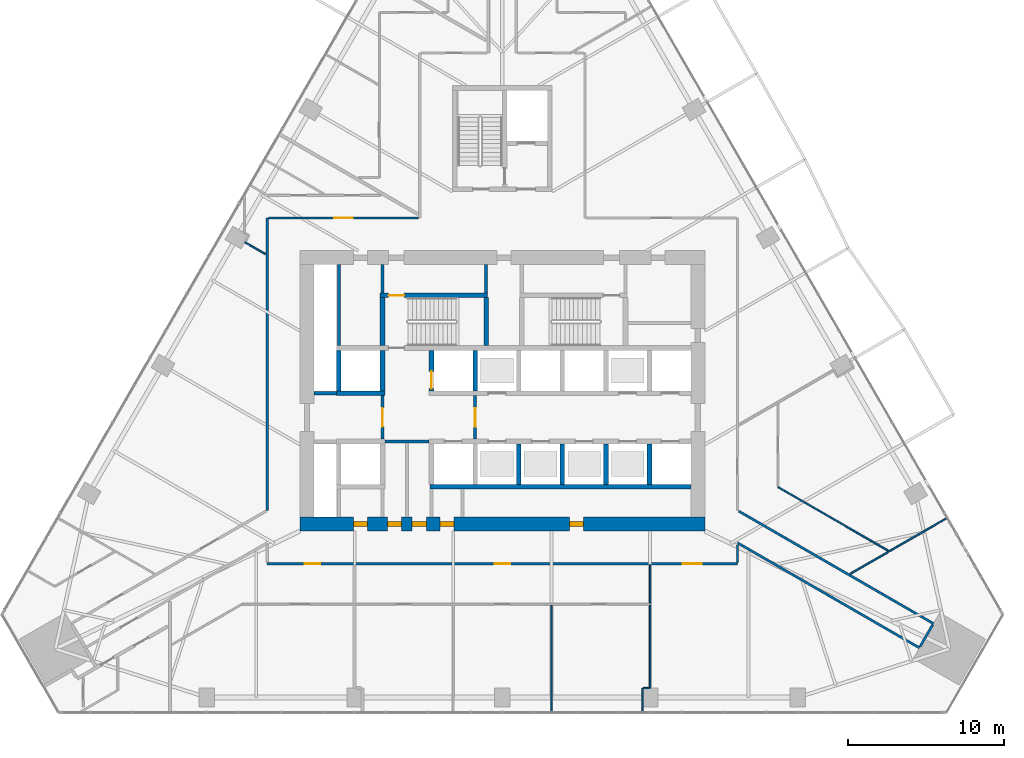
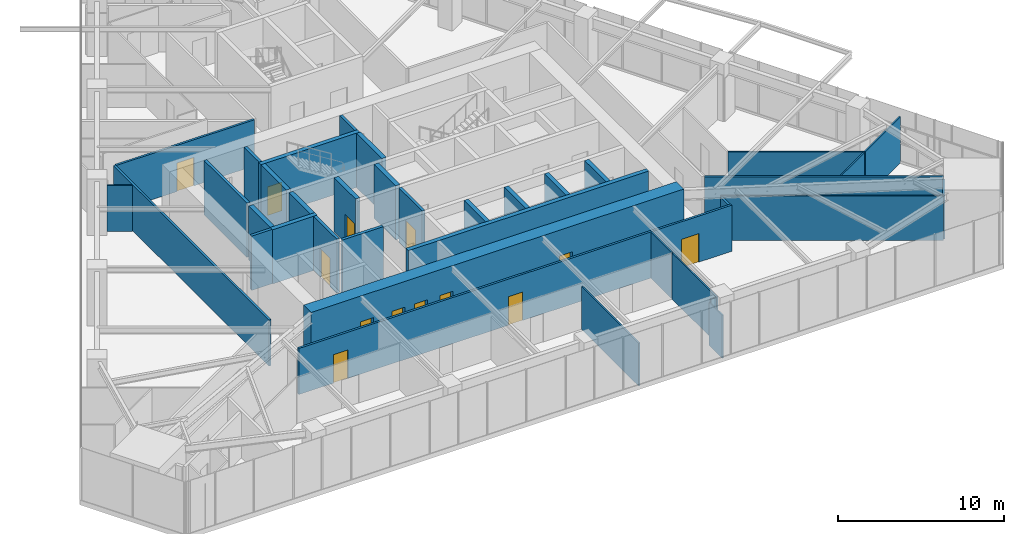
# One storey, part 21 of 26: 37 walls, 13 doors, 13 openings.
"""IFC4 building model written with IfcOpenShell, lengths in metres."""

from ifc_helpers import new_model, si_unit, direction, frame, frame_2d, origin, place, context, subcontext, project, spatial, rectangle, extrude, material, layer, layer_set, type_object, element, fill, save


model = new_model("IFC4")

# Units and contexts
model_context = context("Model", 3, precision=1e-05, world=origin(), true_north=direction((0.0, 1.0)))
body_context = subcontext(model_context, "Body", "Model", "MODEL_VIEW")
ifc_project = project(units=[si_unit("LENGTHUNIT", "METRE"), si_unit("AREAUNIT", "SQUARE_METRE"), si_unit("VOLUMEUNIT", "CUBIC_METRE"), si_unit("PLANEANGLEUNIT", "RADIAN"), si_unit("MASSUNIT", "GRAM", prefix="KILO")], contexts=[model_context])

# Site, building, storey
site_placement = place(None, origin())
site = spatial("IfcSite", under=ifc_project, at=site_placement, CompositionType="ELEMENT")
building_placement = place(site_placement, origin())
building = spatial("IfcBuilding", under=site, at=building_placement, Name="Firuza Gate Tower and Library", CompositionType="ELEMENT")
storey_placement = place(building_placement, frame((0.0, 0.0, 77.800048828125)))
storey = spatial("IfcBuildingStorey", under=building, at=storey_placement, Name="L17", CompositionType="ELEMENT", Elevation=77.800048828125)

# Walls
ifc_material_1 = material(Name="Plasterboard on steel studs", Category="steel")
ifc_layer_1 = layer(ifc_material_1, 0.199951171875)
ifc_layer_set_1 = layer_set([ifc_layer_1], Name="Core partition 200 EI 120")
wall_type_1 = type_object("IfcWallType", Name="Core partition 200 EI 120", PredefinedType="PARTITIONING", material=ifc_layer_set_1)
wall_1_placement = place(storey_placement, frame((67.449951171875, 71.75, 0.0), z_axis=(0.0, 0.0, 1.0), x_axis=(1.0, 0.0, 0.0)))
element("IfcWall", 1, at=wall_1_placement, inside=storey, type_object=wall_type_1, Name="Core partition L17 2", PredefinedType="PARTITIONING", context=body_context, shape_type="SweptSolid", body=[
    extrude(rectangle(XDim=2.85009765625, YDim=0.199951171875, at=frame_2d((1.425048828125, 0.0))), origin(), (0.0, 0.0, 1.0), 4.0),
])
wall_2_placement = place(storey_placement, frame((62.89990234375, 74.85009765625, 0.0), z_axis=(0.0, 0.0, 1.0), x_axis=(1.0, 0.0, 0.0)))
element("IfcWall", 2, at=wall_2_placement, inside=storey, type_object=wall_type_1, Name="Core partition L17 3", PredefinedType="PARTITIONING", context=body_context, shape_type="SweptSolid", body=[
    extrude(rectangle(XDim=1.4501953125, YDim=0.199951171875, at=frame_2d((0.72509765625, 0.0))), origin(), (0.0, 0.0, 1.0), 4.0),
])
wall_3_placement = place(storey_placement, frame((64.5, 77.89990234375, 0.0), z_axis=(0.0, 0.0, 1.0), x_axis=(0.0, 1.0, 0.0)))
element("IfcWall", 3, at=wall_3_placement, inside=storey, type_object=wall_type_1, Name="Core partition L17 6", PredefinedType="PARTITIONING", context=body_context, shape_type="SweptSolid", body=[
    extrude(rectangle(XDim=5.2001953125, YDim=0.199951171875, at=frame_2d((2.60009765625, 0.0))), origin(), (0.0, 0.0, 1.0), 4.0),
])

# Wall, opening, door
ifc_material_2 = material(Name="Plasterboard on steel studs", Category="steel")
ifc_layer_2 = layer(ifc_material_2, 0.199951171875)
ifc_layer_set_2 = layer_set([ifc_layer_2], Name="Core partition 200 EI 60")
wall_type_2 = type_object("IfcWallType", Name="Core partition 200 EI 60", PredefinedType="PARTITIONING", material=ifc_layer_set_2)
wall_4_placement = place(storey_placement, frame((67.300048828125, 71.89990234375, 0.0), z_axis=(0.0, 0.0, 1.0), x_axis=(0.0, 1.0, 0.0)))
wall_4 = element("IfcWall", 4, at=wall_4_placement, inside=storey, type_object=wall_type_2, Name="Core partition L17 8", PredefinedType="PARTITIONING", context=body_context, shape_type="SweptSolid", body=[
    extrude(rectangle(XDim=2.800048828125, YDim=0.199951171875, at=frame_2d((1.39990234375, 0.0))), origin(), (0.0, 0.0, 1.0), 4.0),
])
opening_1_placement = place(wall_4_placement, frame((0.800048828125, 0.0, 0.0)))
opening_1 = element("IfcOpeningElement", 5, at=opening_1_placement, cuts=wall_4, Name="Opening L17-K21", PredefinedType="OPENING", context=body_context, shape_type="SweptSolid", body=[
    extrude(rectangle(XDim=1.199951171875, YDim=2.10009765625, at=frame_2d((0.60009765625, 1.050048828125))), frame((0.0, 0.10986328125, 0.0), z_axis=(0.0, -1.0, 0.0), x_axis=(1.0, 0.0, 0.0)), (0.0, 0.0, 1.0), 0.219970703125),
])
ifc_material_3 = material(Name="Steel", Category="steel")
door_type_1 = type_object("IfcDoorType", Name="Fire door 1200x2100 FD90S", OperationType="NOTDEFINED", PredefinedType="DOOR", material=ifc_material_3)
door_1_placement = place(opening_1_placement, origin())
door_1 = element("IfcDoor", 6, at=door_1_placement, inside=storey, type_object=door_type_1, Name="Door L17-K21", OperationType="SINGLE_SWING_RIGHT", OverallHeight=2.10009765625, OverallWidth=1.199951171875, PredefinedType="DOOR", context=body_context, shape_type="SweptSolid", body=[
    extrude(rectangle(XDim=1.199951171875, YDim=2.10009765625, at=frame_2d((0.60009765625, 1.050048828125))), frame((0.0, 0.02490234375, 0.0), z_axis=(0.0, -1.0, 0.0), x_axis=(1.0, 0.0, 0.0)), (0.0, 0.0, 1.0), 0.050048828125),
])
fill(opening_1, door_1)

# Wall
wall_5_placement = place(storey_placement, frame((67.300048828125, 81.280029296875, 0.0), z_axis=(0.0, 0.0, 1.0), x_axis=(0.0, 1.0, 0.0)))
element("IfcWall", 7, at=wall_5_placement, inside=storey, type_object=wall_type_2, Name="Core partition L17 9", PredefinedType="PARTITIONING", context=body_context, shape_type="SweptSolid", body=[
    extrude(rectangle(XDim=1.820068359375, YDim=0.199951171875, at=frame_2d((0.91015625, 0.0))), origin(), (0.0, 0.0, 1.0), 4.0),
])

# Wall, opening, door
wall_6_placement = place(storey_placement, frame((73.25, 71.89990234375, 0.0), z_axis=(0.0, 0.0, 1.0), x_axis=(0.0, 1.0, 0.0)))
wall_6 = element("IfcWall", 8, at=wall_6_placement, inside=storey, type_object=wall_type_2, Name="Core partition L17 13", PredefinedType="PARTITIONING", context=body_context, shape_type="SweptSolid", body=[
    extrude(rectangle(XDim=2.800048828125, YDim=0.199951171875, at=frame_2d((1.39990234375, 0.0))), origin(), (0.0, 0.0, 1.0), 4.0),
])
opening_2_placement = place(wall_6_placement, frame((0.800048828125, 0.0, 0.0)))
opening_2 = element("IfcOpeningElement", 9, at=opening_2_placement, cuts=wall_6, Name="Opening L17-K20", PredefinedType="OPENING", context=body_context, shape_type="SweptSolid", body=[
    extrude(rectangle(XDim=1.199951171875, YDim=2.10009765625, at=frame_2d((0.60009765625, 1.050048828125))), frame((0.0, 0.10986328125, 0.0), z_axis=(0.0, -1.0, 0.0), x_axis=(1.0, 0.0, 0.0)), (0.0, 0.0, 1.0), 0.219970703125),
])
door_2_placement = place(opening_2_placement, origin())
door_2 = element("IfcDoor", 10, at=door_2_placement, inside=storey, type_object=door_type_1, Name="Door L17-K20", OperationType="SINGLE_SWING_LEFT", OverallHeight=2.10009765625, OverallWidth=1.199951171875, PredefinedType="DOOR", context=body_context, shape_type="SweptSolid", body=[
    extrude(rectangle(XDim=1.199951171875, YDim=2.10009765625, at=frame_2d((0.60009765625, 1.050048828125))), frame((0.0, 0.02490234375, 0.0), z_axis=(0.0, -1.0, 0.0), x_axis=(1.0, 0.0, 0.0)), (0.0, 0.0, 1.0), 0.050048828125),
])
fill(opening_2, door_2)

# Walls
wall_7_placement = place(storey_placement, frame((73.9599609375, 81.280029296875, 0.0), z_axis=(0.0, 0.0, 1.0), x_axis=(0.0, 1.0, 0.0)))
element("IfcWall", 11, at=wall_7_placement, inside=storey, type_object=wall_type_2, Name="Core partition L17 14", PredefinedType="PARTITIONING", context=body_context, shape_type="SweptSolid", body=[
    extrude(rectangle(XDim=1.820068359375, YDim=0.199951171875, at=frame_2d((0.91015625, 0.0))), origin(), (0.0, 0.0, 1.0), 4.0),
])
ifc_material_4 = material(Name="Concrete C80/95", Category="concrete")
ifc_layer_3 = layer(ifc_material_4, 0.300048828125)
ifc_layer_set_3 = layer_set([ifc_layer_3], Name="Core wall 300 C80/95")
wall_type_3 = type_object("IfcWallType", Name="Core wall 300 C80/95", PredefinedType="SHEAR", material=ifc_layer_set_3)
wall_8_placement = place(storey_placement, frame((70.35009765625, 68.85009765625, 0.0), z_axis=(0.0, 0.0, 1.0), x_axis=(1.0, 0.0, 0.0)))
element("IfcWall", 12, at=wall_8_placement, inside=storey, type_object=wall_type_3, Name="Core wall L17 6", PredefinedType="SHEAR", context=body_context, shape_type="SweptSolid", body=[
    extrude(rectangle(XDim=16.75, YDim=0.300048828125, at=frame_2d((8.375, 0.0))), origin(), (0.0, 0.0, 1.0), 4.0),
])
wall_9_placement = place(storey_placement, frame((64.35009765625, 74.85009765625, 0.0), z_axis=(0.0, 0.0, 1.0), x_axis=(1.0, 0.0, 0.0)))
element("IfcWall", 13, at=wall_9_placement, inside=storey, type_object=wall_type_3, Name="Core wall L17 9", PredefinedType="SHEAR", context=body_context, shape_type="SweptSolid", body=[
    extrude(rectangle(XDim=3.099853515625, YDim=0.300048828125, at=frame_2d((1.5498046875, 0.0))), origin(), (0.0, 0.0, 1.0), 4.0),
])
for number, where, z_axis, x_axis, name in (
    (14, (64.5, 75.0, 0.0), (0.0, 0.0, 1.0), (0.0, 1.0, 0.0), "Core wall L17 12"),
    (15, (67.300048828125, 75.0, 0.0), (0.0, 0.0, 1.0), (0.0, 1.0, 0.0), "Core wall L17 14"),
):
    element("IfcWall", number, at=place(storey_placement, frame(where, z_axis=z_axis, x_axis=x_axis)), inside=storey, type_object=wall_type_3, Name=name, PredefinedType="SHEAR", context=body_context, shape_type="SweptSolid", body=[
        extrude(rectangle(XDim=2.60009765625, YDim=0.300048828125, at=frame_2d((1.300048828125, 0.0))), origin(), (0.0, 0.0, 1.0), 4.0),
    ])

# Wall, opening, door
wall_10_placement = place(storey_placement, frame((70.449951171875, 75.0, 0.0), z_axis=(0.0, 0.0, 1.0), x_axis=(0.0, 1.0, 0.0)))
wall_10 = element("IfcWall", 16, at=wall_10_placement, inside=storey, type_object=wall_type_3, Name="Core wall L17 16", PredefinedType="SHEAR", context=body_context, shape_type="SweptSolid", body=[
    extrude(rectangle(XDim=2.60009765625, YDim=0.300048828125, at=frame_2d((1.300048828125, 0.0))), origin(), (0.0, 0.0, 1.0), 4.0),
])
opening_3_placement = place(wall_10_placement, frame((0.14990234375, 0.0, 0.0)))
opening_3 = element("IfcOpeningElement", 17, at=opening_3_placement, cuts=wall_10, Name="Opening LD-FF2-L17", PredefinedType="OPENING", context=body_context, shape_type="SweptSolid", body=[
    extrude(rectangle(XDim=1.10009765625, YDim=2.10009765625, at=frame_2d((0.550048828125, 1.050048828125))), frame((0.0, 0.16015625, 0.0), z_axis=(0.0, -1.0, 0.0), x_axis=(1.0, 0.0, 0.0)), (0.0, 0.0, 1.0), 0.320068359375),
])
ifc_material_5 = material(Name="Stainless steel", Category="steel")
door_type_2 = type_object("IfcDoorType", Name="Lift landing door 1100x2100", OperationType="DOUBLE_DOOR_SLIDING", PredefinedType="DOOR", material=ifc_material_5)
door_3_placement = place(opening_3_placement, origin())
door_3 = element("IfcDoor", 18, at=door_3_placement, inside=storey, type_object=door_type_2, Name="Landing door FF2 L17", OperationType="DOUBLE_DOOR_SLIDING", OverallHeight=2.10009765625, OverallWidth=1.10009765625, PredefinedType="DOOR", context=body_context, shape_type="SweptSolid", body=[
    extrude(rectangle(XDim=1.10009765625, YDim=2.10009765625, at=frame_2d((0.550048828125, 1.050048828125))), frame((0.0, 0.02490234375, 0.0), z_axis=(0.0, -1.0, 0.0), x_axis=(1.0, 0.0, 0.0)), (0.0, 0.0, 1.0), 0.050048828125),
])
fill(opening_3, door_3)

# Walls
for number, where, z_axis, x_axis, name in (
    (19, (73.25, 75.0, 0.0), (0.0, 0.0, 1.0), (0.0, 1.0, 0.0), "Core wall L17 18"),
    (20, (76.050048828125, 69.0, 0.0), (0.0, 0.0, 1.0), (0.0, 1.0, 0.0), "Core wall L17 19"),
    (21, (78.85009765625, 69.0, 0.0), (0.0, 0.0, 1.0), (0.0, 1.0, 0.0), "Core wall L17 21"),
    (22, (81.64990234375, 69.0, 0.0), (0.0, 0.0, 1.0), (0.0, 1.0, 0.0), "Core wall L17 23"),
    (23, (84.449951171875, 69.0, 0.0), (0.0, 0.0, 1.0), (0.0, 1.0, 0.0), "Core wall L17 25"),
):
    element("IfcWall", number, at=place(storey_placement, frame(where, z_axis=z_axis, x_axis=x_axis)), inside=storey, type_object=wall_type_3, Name=name, PredefinedType="SHEAR", context=body_context, shape_type="SweptSolid", body=[
        extrude(rectangle(XDim=2.60009765625, YDim=0.300048828125, at=frame_2d((1.300048828125, 0.0))), origin(), (0.0, 0.0, 1.0), 4.0),
    ])

# Wall, opening, door
wall_11_placement = place(storey_placement, frame((67.14990234375, 81.1298828125, 0.0), z_axis=(0.0, 0.0, 1.0), x_axis=(1.0, 0.0, 0.0)))
wall_11 = element("IfcWall", 24, at=wall_11_placement, inside=storey, type_object=wall_type_3, Name="Core wall L17 28", PredefinedType="SHEAR", context=body_context, shape_type="SweptSolid", body=[
    extrude(rectangle(XDim=6.91015625, YDim=0.300048828125, at=frame_2d((3.455078125, 0.0))), origin(), (0.0, 0.0, 1.0), 4.0),
])
opening_4_placement = place(wall_11_placement, frame((0.544921875, 0.0, 0.0)))
opening_4 = element("IfcOpeningElement", 25, at=opening_4_placement, cuts=wall_11, Name="Opening L17-K13", PredefinedType="OPENING", context=body_context, shape_type="SweptSolid", body=[
    extrude(rectangle(XDim=1.0, YDim=2.10009765625, at=frame_2d((0.5, 1.050048828125))), frame((0.0, 0.16015625, 0.0), z_axis=(0.0, -1.0, 0.0), x_axis=(1.0, 0.0, 0.0)), (0.0, 0.0, 1.0), 0.320068359375),
])
ifc_material_6 = material(Name="Steel", Category="steel")
door_type_3 = type_object("IfcDoorType", Name="Fire door 1000x2100 FD90", OperationType="NOTDEFINED", PredefinedType="DOOR", material=ifc_material_6)
door_4_placement = place(opening_4_placement, origin())
door_4 = element("IfcDoor", 26, at=door_4_placement, inside=storey, type_object=door_type_3, Name="Door L17-K13", OperationType="SINGLE_SWING_RIGHT", OverallHeight=2.10009765625, OverallWidth=1.0, PredefinedType="DOOR", context=body_context, shape_type="SweptSolid", body=[
    extrude(rectangle(XDim=1.0, YDim=2.10009765625, at=frame_2d((0.5, 1.050048828125))), frame((0.0, 0.02490234375, 0.0), z_axis=(0.0, -1.0, 0.0), x_axis=(1.0, 0.0, 0.0)), (0.0, 0.0, 1.0), 0.050048828125),
])
fill(opening_4, door_4)

# Walls
for number, where, z_axis, x_axis, name in (
    (27, (67.300048828125, 77.89990234375, 0.0), (0.0, 0.0, 1.0), (0.0, 1.0, 0.0), "Core wall L17 30"),
    (28, (73.9599609375, 77.89990234375, 0.0), (0.0, 0.0, 1.0), (0.0, 1.0, 0.0), "Core wall L17 31"),
):
    element("IfcWall", number, at=place(storey_placement, frame(where, z_axis=z_axis, x_axis=x_axis)), inside=storey, type_object=wall_type_3, Name=name, PredefinedType="SHEAR", context=body_context, shape_type="SweptSolid", body=[
        extrude(rectangle(XDim=3.080078125, YDim=0.300048828125, at=frame_2d((1.5400390625, 0.0))), origin(), (0.0, 0.0, 1.0), 4.0),
    ])

# Wall, openings, doors
ifc_material_7 = material(Name="Concrete C80/95", Category="concrete")
ifc_layer_4 = layer(ifc_material_7, 0.89990234375)
ifc_layer_set_4 = layer_set([ifc_layer_4], Name="Core wall 900 C80/95")
wall_type_4 = type_object("IfcWallType", Name="Core wall 900 C80/95", PredefinedType="SHEAR", material=ifc_layer_set_4)
wall_12_placement = place(storey_placement, frame((62.0, 66.449951171875, 0.0), z_axis=(0.0, 0.0, 1.0), x_axis=(1.0, 0.0, 0.0)))
wall_12 = element("IfcWall", 29, at=wall_12_placement, inside=storey, type_object=wall_type_4, Name="Core wall L17 1", PredefinedType="SHEAR", context=body_context, shape_type="SweptSolid", body=[
    extrude(rectangle(XDim=26.0, YDim=0.89990234375, at=frame_2d((13.0, 0.0))), origin(), (0.0, 0.0, 1.0), 4.0),
])
opening_5_placement = place(wall_12_placement, frame((3.449951171875, 0.0, 0.0)))
opening_5 = element("IfcOpeningElement", 30, at=opening_5_placement, cuts=wall_12, Name="Opening L17-K24", PredefinedType="OPENING", context=body_context, shape_type="SweptSolid", body=[
    extrude(rectangle(XDim=0.89990234375, YDim=2.10009765625, at=frame_2d((0.449951171875, 1.050048828125))), frame((0.0, 0.4599609375, 0.0), z_axis=(0.0, -1.0, 0.0), x_axis=(1.0, 0.0, 0.0)), (0.0, 0.0, 1.0), 0.919921875),
])
opening_6_placement = place(wall_12_placement, frame((5.637451171875, 0.0, 0.0)))
opening_6 = element("IfcOpeningElement", 31, at=opening_6_placement, cuts=wall_12, Name="Opening L17-K25", PredefinedType="OPENING", context=body_context, shape_type="SweptSolid", body=[
    extrude(rectangle(XDim=0.89990234375, YDim=2.10009765625, at=frame_2d((0.449951171875, 1.050048828125))), frame((0.0, 0.4599609375, 0.0), z_axis=(0.0, -1.0, 0.0), x_axis=(1.0, 0.0, 0.0)), (0.0, 0.0, 1.0), 0.919921875),
])
opening_7_placement = place(wall_12_placement, frame((7.21240234375, 0.0, 0.0)))
opening_7 = element("IfcOpeningElement", 32, at=opening_7_placement, cuts=wall_12, Name="Opening L17-K26", PredefinedType="OPENING", context=body_context, shape_type="SweptSolid", body=[
    extrude(rectangle(XDim=0.89990234375, YDim=2.10009765625, at=frame_2d((0.449951171875, 1.050048828125))), frame((0.0, 0.4599609375, 0.0), z_axis=(0.0, -1.0, 0.0), x_axis=(1.0, 0.0, 0.0)), (0.0, 0.0, 1.0), 0.919921875),
])
opening_8_placement = place(wall_12_placement, frame((8.9990234375, 0.0, 0.0)))
opening_8 = element("IfcOpeningElement", 33, at=opening_8_placement, cuts=wall_12, Name="Opening L17-K27", PredefinedType="OPENING", context=body_context, shape_type="SweptSolid", body=[
    extrude(rectangle(XDim=0.89990234375, YDim=2.10009765625, at=frame_2d((0.449951171875, 1.050048828125))), frame((0.0, 0.4599609375, 0.0), z_axis=(0.0, -1.0, 0.0), x_axis=(1.0, 0.0, 0.0)), (0.0, 0.0, 1.0), 0.919921875),
])
opening_9_placement = place(wall_12_placement, frame((17.323974609375, 0.0, 0.0)))
opening_9 = element("IfcOpeningElement", 34, at=opening_9_placement, cuts=wall_12, Name="Opening L17-K28", PredefinedType="OPENING", context=body_context, shape_type="SweptSolid", body=[
    extrude(rectangle(XDim=0.89990234375, YDim=2.10009765625, at=frame_2d((0.449951171875, 1.050048828125))), frame((0.0, 0.4599609375, 0.0), z_axis=(0.0, -1.0, 0.0), x_axis=(1.0, 0.0, 0.0)), (0.0, 0.0, 1.0), 0.919921875),
])
ifc_material_8 = material(Name="Steel", Category="steel")
door_type_4 = type_object("IfcDoorType", Name="Fire door 900x2100 FD30S", OperationType="NOTDEFINED", PredefinedType="DOOR", material=ifc_material_8)
door_5_placement = place(opening_5_placement, origin())
door_5 = element("IfcDoor", 35, at=door_5_placement, inside=storey, type_object=door_type_4, Name="Door L17-K24", OperationType="SINGLE_SWING_LEFT", OverallHeight=2.10009765625, OverallWidth=0.89990234375, PredefinedType="DOOR", context=body_context, shape_type="SweptSolid", body=[
    extrude(rectangle(XDim=0.89990234375, YDim=2.10009765625, at=frame_2d((0.449951171875, 1.050048828125))), frame((0.0, 0.169921875, 0.0), z_axis=(0.0, -1.0, 0.0), x_axis=(1.0, 0.0, 0.0)), (0.0, 0.0, 1.0), 0.33984375),
])
fill(opening_5, door_5)
door_6_placement = place(opening_6_placement, origin())
door_6 = element("IfcDoor", 36, at=door_6_placement, inside=storey, type_object=door_type_4, Name="Door L17-K25", OperationType="SINGLE_SWING_RIGHT", OverallHeight=2.10009765625, OverallWidth=0.89990234375, PredefinedType="DOOR", context=body_context, shape_type="SweptSolid", body=[
    extrude(rectangle(XDim=0.89990234375, YDim=2.10009765625, at=frame_2d((0.449951171875, 1.050048828125))), frame((0.0, 0.169921875, 0.0), z_axis=(0.0, -1.0, 0.0), x_axis=(1.0, 0.0, 0.0)), (0.0, 0.0, 1.0), 0.33984375),
])
fill(opening_6, door_6)
door_7_placement = place(opening_7_placement, origin())
door_7 = element("IfcDoor", 37, at=door_7_placement, inside=storey, type_object=door_type_4, Name="Door L17-K26", OperationType="SINGLE_SWING_LEFT", OverallHeight=2.10009765625, OverallWidth=0.89990234375, PredefinedType="DOOR", context=body_context, shape_type="SweptSolid", body=[
    extrude(rectangle(XDim=0.89990234375, YDim=2.10009765625, at=frame_2d((0.449951171875, 1.050048828125))), frame((0.0, 0.169921875, 0.0), z_axis=(0.0, -1.0, 0.0), x_axis=(1.0, 0.0, 0.0)), (0.0, 0.0, 1.0), 0.33984375),
])
fill(opening_7, door_7)
door_8_placement = place(opening_8_placement, origin())
door_8 = element("IfcDoor", 38, at=door_8_placement, inside=storey, type_object=door_type_4, Name="Door L17-K27", OperationType="SINGLE_SWING_RIGHT", OverallHeight=2.10009765625, OverallWidth=0.89990234375, PredefinedType="DOOR", context=body_context, shape_type="SweptSolid", body=[
    extrude(rectangle(XDim=0.89990234375, YDim=2.10009765625, at=frame_2d((0.449951171875, 1.050048828125))), frame((0.0, 0.169921875, 0.0), z_axis=(0.0, -1.0, 0.0), x_axis=(1.0, 0.0, 0.0)), (0.0, 0.0, 1.0), 0.33984375),
])
fill(opening_8, door_8)
door_9_placement = place(opening_9_placement, origin())
door_9 = element("IfcDoor", 39, at=door_9_placement, inside=storey, type_object=door_type_4, Name="Door L17-K28", OperationType="SINGLE_SWING_LEFT", OverallHeight=2.10009765625, OverallWidth=0.89990234375, PredefinedType="DOOR", context=body_context, shape_type="SweptSolid", body=[
    extrude(rectangle(XDim=0.89990234375, YDim=2.10009765625, at=frame_2d((0.449951171875, 1.050048828125))), frame((0.0, 0.169921875, 0.0), z_axis=(0.0, -1.0, 0.0), x_axis=(1.0, 0.0, 0.0)), (0.0, 0.0, 1.0), 0.33984375),
])
fill(opening_9, door_9)

ifc_material_9 = material(Name="Gypsum board partition")
ifc_layer_5 = layer(ifc_material_9, 0.14990234375)
ifc_layer_set_5 = layer_set([ifc_layer_5], Name="Corridor wall 150 double board on steel studs")
wall_type_5 = type_object("IfcWallType", Name="Corridor wall 150 double board on steel studs", PredefinedType="PARTITIONING", material=ifc_layer_set_5)
wall_13_placement = place(storey_placement, frame((90.099365234375, 63.89990234375, 0.0), z_axis=(0.0, 0.0, 1.0), x_axis=(-1.0, 0.0, 0.0)))
wall_13 = element("IfcWall", 40, at=wall_13_placement, inside=storey, type_object=wall_type_5, Name="f:L17:w003", PredefinedType="PARTITIONING", context=body_context, shape_type="SweptSolid", body=[
    extrude(rectangle(XDim=30.199462890625, YDim=0.14990234375, at=frame_2d((15.099609375, 0.0))), origin(), (0.0, 0.0, 1.0), 3.39990234375),
])
opening_10_placement = place(wall_13_placement, frame((2.30859375, 0.0, 0.0)))
opening_10 = element("IfcOpeningElement", 41, at=opening_10_placement, cuts=wall_13, Name="Opening L17-05", PredefinedType="OPENING", context=body_context, shape_type="SweptSolid", body=[
    extrude(rectangle(XDim=1.199951171875, YDim=2.10009765625, at=frame_2d((0.60009765625, 1.050048828125))), frame((0.0, 0.0849609375, 0.0), z_axis=(0.0, -1.0, 0.0), x_axis=(1.0, 0.0, 0.0)), (0.0, 0.0, 1.0), 0.169921875),
])
opening_11_placement = place(wall_13_placement, frame((14.599365234375, 0.0, 0.0)))
opening_11 = element("IfcOpeningElement", 42, at=opening_11_placement, cuts=wall_13, Name="Opening L17-06", PredefinedType="OPENING", context=body_context, shape_type="SweptSolid", body=[
    extrude(rectangle(XDim=1.0, YDim=2.10009765625, at=frame_2d((0.5, 1.050048828125))), frame((0.0, 0.0849609375, 0.0), z_axis=(0.0, -1.0, 0.0), x_axis=(1.0, 0.0, 0.0)), (0.0, 0.0, 1.0), 0.169921875),
])
opening_12_placement = place(wall_13_placement, frame((26.79052734375, 0.0, 0.0)))
opening_12 = element("IfcOpeningElement", 43, at=opening_12_placement, cuts=wall_13, Name="Opening L17-07", PredefinedType="OPENING", context=body_context, shape_type="SweptSolid", body=[
    extrude(rectangle(XDim=1.0, YDim=2.10009765625, at=frame_2d((0.5, 1.050048828125))), frame((0.0, 0.0849609375, 0.0), z_axis=(0.0, -1.0, 0.0), x_axis=(1.0, 0.0, 0.0)), (0.0, 0.0, 1.0), 0.169921875),
])
ifc_material_10 = material(Name="Steel door and timber leaf", Category="steel")
door_type_5 = type_object("IfcDoorType", Name="Fire door 1000 x 2100 steel frame, timber leaf", OperationType="NOTDEFINED", PredefinedType="DOOR", material=ifc_material_10)
door_10_placement = place(opening_11_placement, origin())
door_10 = element("IfcDoor", 44, at=door_10_placement, inside=storey, type_object=door_type_5, Name="f:L17:d006", OperationType="SINGLE_SWING_RIGHT", OverallHeight=2.10009765625, OverallWidth=1.0, PredefinedType="DOOR", context=body_context, shape_type="SweptSolid", body=[
    extrude(rectangle(XDim=1.0, YDim=2.10009765625, at=frame_2d((0.5, 1.050048828125))), frame((0.0, 0.02490234375, 0.0), z_axis=(0.0, -1.0, 0.0), x_axis=(1.0, 0.0, 0.0)), (0.0, 0.0, 1.0), 0.050048828125),
])
fill(opening_11, door_10)
door_11_placement = place(opening_12_placement, origin())
door_11 = element("IfcDoor", 45, at=door_11_placement, inside=storey, type_object=door_type_5, Name="f:L17:d007", OperationType="SINGLE_SWING_LEFT", OverallHeight=2.10009765625, OverallWidth=1.0, PredefinedType="DOOR", context=body_context, shape_type="SweptSolid", body=[
    extrude(rectangle(XDim=1.0, YDim=2.10009765625, at=frame_2d((0.5, 1.050048828125))), frame((0.0, 0.02490234375, 0.0), z_axis=(0.0, -1.0, 0.0), x_axis=(1.0, 0.0, 0.0)), (0.0, 0.0, 1.0), 0.050048828125),
])
fill(opening_12, door_11)
ifc_material_11 = material(Name="Steel door and timber leaf", Category="steel")
door_type_6 = type_object("IfcDoorType", Name="Fire door 1200 x 2100 steel frame, double leaf", OperationType="NOTDEFINED", PredefinedType="DOOR", material=ifc_material_11)
door_12_placement = place(opening_10_placement, origin())
door_12 = element("IfcDoor", 46, at=door_12_placement, inside=storey, type_object=door_type_6, Name="f:L17:d005", OperationType="DOUBLE_DOOR_SINGLE_SWING", OverallHeight=2.10009765625, OverallWidth=1.199951171875, PredefinedType="DOOR", context=body_context, shape_type="SweptSolid", body=[
    extrude(rectangle(XDim=1.199951171875, YDim=2.10009765625, at=frame_2d((0.60009765625, 1.050048828125))), frame((0.0, 0.02490234375, 0.0), z_axis=(0.0, -1.0, 0.0), x_axis=(1.0, 0.0, 0.0)), (0.0, 0.0, 1.0), 0.050048828125),
])
fill(opening_10, door_12)

# Wall, opening, door
wall_14_placement = place(storey_placement, frame((59.9755859375, 86.10009765625, 0.0), z_axis=(0.0, 0.0, 1.0), x_axis=(1.0, 0.0, 0.0)))
wall_14 = element("IfcWall", 47, at=wall_14_placement, inside=storey, type_object=wall_type_5, Name="f:L17:w004", PredefinedType="PARTITIONING", context=body_context, shape_type="SweptSolid", body=[
    extrude(rectangle(XDim=9.6494140625, YDim=0.14990234375, at=frame_2d((4.82470703125, 0.0))), origin(), (0.0, 0.0, 1.0), 3.39990234375),
])
opening_13_placement = place(wall_14_placement, frame((4.224853515625, 0.0, 0.0)))
opening_13 = element("IfcOpeningElement", 48, at=opening_13_placement, cuts=wall_14, Name="Opening L17-08", PredefinedType="OPENING", context=body_context, shape_type="SweptSolid", body=[
    extrude(rectangle(XDim=1.199951171875, YDim=2.10009765625, at=frame_2d((0.60009765625, 1.050048828125))), frame((0.0, 0.0849609375, 0.0), z_axis=(0.0, -1.0, 0.0), x_axis=(1.0, 0.0, 0.0)), (0.0, 0.0, 1.0), 0.169921875),
])
door_13_placement = place(opening_13_placement, origin())
door_13 = element("IfcDoor", 49, at=door_13_placement, inside=storey, type_object=door_type_6, Name="f:L17:d008", OperationType="DOUBLE_DOOR_SINGLE_SWING", OverallHeight=2.10009765625, OverallWidth=1.199951171875, PredefinedType="DOOR", context=body_context, shape_type="SweptSolid", body=[
    extrude(rectangle(XDim=1.199951171875, YDim=2.10009765625, at=frame_2d((0.60009765625, 1.050048828125))), frame((0.0, 0.02490234375, 0.0), z_axis=(0.0, -1.0, 0.0), x_axis=(1.0, 0.0, 0.0)), (0.0, 0.0, 1.0), 0.050048828125),
])
fill(opening_13, door_13)

# Walls
wall_15_placement = place(storey_placement, frame((101.812255859375, 58.56787109375, 0.0), z_axis=(0.0, 0.0, 1.0), x_axis=(0.499944585209, 0.866057395165, 0.0)))
element("IfcWall", 50, at=wall_15_placement, inside=storey, type_object=wall_type_5, Name="f:L17:w025", PredefinedType="PARTITIONING", context=body_context, shape_type="SweptSolid", body=[
    extrude(rectangle(XDim=1.649169921875, YDim=0.14990234375, at=frame_2d((0.82470703125, 0.0))), origin(), (0.0, 0.0, 1.0), 3.2470703125),
])
wall_16_placement = place(storey_placement, frame((90.10009765625, 63.9755859375, 0.0), z_axis=(0.0, 0.0, 1.0), x_axis=(0.0, 1.0, 0.0)))
element("IfcWall", 51, at=wall_16_placement, inside=storey, type_object=wall_type_5, Name="f:L17:w030", PredefinedType="PARTITIONING", context=body_context, shape_type="SweptSolid", body=[
    extrude(rectangle(XDim=1.130615234375, YDim=0.14990234375, at=frame_2d((0.5654296875, 0.0))), origin(), (0.0, 0.0, 1.0), 3.2470703125),
])
wall_17_placement = place(storey_placement, frame((59.89990234375, 67.3212890625, 0.0), z_axis=(0.0, 0.0, 1.0), x_axis=(0.0, 1.0, 0.0)))
element("IfcWall", 52, at=wall_17_placement, inside=storey, type_object=wall_type_5, Name="f:L17:w049", PredefinedType="PARTITIONING", context=body_context, shape_type="SweptSolid", body=[
    extrude(rectangle(XDim=18.7783203125, YDim=0.14990234375, at=frame_2d((9.38916015625, 0.0))), origin(), (0.0, 0.0, 1.0), 3.39990234375),
])
wall_18_placement = place(storey_placement, frame((102.67431640625, 60.0615234375, 0.0), z_axis=(0.0, 0.0, 1.0), x_axis=(-0.866022486604, 0.50000505267, 0.0)))
element("IfcWall", 53, at=wall_18_placement, inside=storey, type_object=wall_type_5, Name="f:L17:w067", PredefinedType="PARTITIONING", context=body_context, shape_type="SweptSolid", body=[
    extrude(rectangle(XDim=14.432861328125, YDim=0.14990234375, at=frame_2d((7.21630859375, 0.0))), origin(), (0.0, 0.0, 1.0), 3.39990234375),
])
wall_19_placement = place(storey_placement, frame((101.7744140625, 58.502685546875, 0.0), z_axis=(0.0, 0.0, 1.0), x_axis=(-0.866023326939, 0.500003597184, 0.0)))
element("IfcWall", 54, at=wall_19_placement, inside=storey, type_object=wall_type_5, Name="f:L17:w070", PredefinedType="PARTITIONING", context=body_context, shape_type="SweptSolid", body=[
    extrude(rectangle(XDim=13.48046875, YDim=0.14990234375, at=frame_2d((6.740234375, 0.0))), origin(), (0.0, 0.0, 1.0), 3.2470703125),
])
ifc_material_12 = material(Name="Gypsum board partition")
ifc_layer_6 = layer(ifc_material_12, 0.10009765625)
ifc_layer_set_6 = layer_set([ifc_layer_6], Name="Partition 100 gypsum board on steel studs")
wall_type_6 = type_object("IfcWallType", Name="Partition 100 gypsum board on steel studs", PredefinedType="PARTITIONING", material=ifc_layer_set_6)
wall_20_placement = place(storey_placement, frame((84.035888671875, 55.9140625, 0.0), z_axis=(0.0, 0.0, 1.0), x_axis=(1.0, 0.0, 0.0)))
element("IfcWall", 55, at=wall_20_placement, inside=storey, type_object=wall_type_6, Name="f:L17:w001", PredefinedType="PARTITIONING", context=body_context, shape_type="SweptSolid", body=[
    extrude(rectangle(XDim=0.39892578125, YDim=0.10009765625, at=frame_2d((0.199462890625, 0.0))), origin(), (0.0, 0.0, 1.0), 3.39990234375),
])
wall_21_placement = place(storey_placement, frame((97.3427734375, 63.256103515625, 0.0), z_axis=(0.0, 0.0, 1.0), x_axis=(0.866028733576, 0.499994232587, 0.0)))
element("IfcWall", 56, at=wall_21_placement, inside=storey, type_object=wall_type_6, Name="f:L17:w013", PredefinedType="PARTITIONING", context=body_context, shape_type="SweptSolid", body=[
    extrude(rectangle(XDim=2.79931640625, YDim=0.10009765625, at=frame_2d((1.399658203125, 0.0))), origin(), (0.0, 0.0, 1.0), 3.39990234375),
])
wall_22_placement = place(storey_placement, frame((84.485107421875, 55.91455078125, 0.0), z_axis=(0.0, 0.0, 1.0), x_axis=(0.0, 1.0, 0.0)))
element("IfcWall", 57, at=wall_22_placement, inside=storey, type_object=wall_type_6, Name="f:L17:w032", PredefinedType="PARTITIONING", context=body_context, shape_type="SweptSolid", body=[
    extrude(rectangle(XDim=5.33544921875, YDim=0.10009765625, at=frame_2d((2.667724609375, 0.0))), origin(), (0.0, 0.0, 1.0), 3.39990234375),
])
wall_23_placement = place(storey_placement, frame((83.985107421875, 54.35400390625, 0.0), z_axis=(0.0, 0.0, 1.0), x_axis=(0.0, 1.0, 0.0)))
element("IfcWall", 58, at=wall_23_placement, inside=storey, type_object=wall_type_6, Name="f:L17:w033", PredefinedType="PARTITIONING", context=body_context, shape_type="SweptSolid", body=[
    extrude(rectangle(XDim=1.5595703125, YDim=0.10009765625, at=frame_2d((0.77978515625, 0.0))), origin(), (0.0, 0.0, 1.0), 3.1650390625),
])
wall_24_placement = place(storey_placement, frame((78.162109375, 54.35400390625, 0.0), z_axis=(0.0, 0.0, 1.0), x_axis=(0.0, 1.0, 0.0)))
element("IfcWall", 59, at=wall_24_placement, inside=storey, type_object=wall_type_6, Name="f:L17:w038", PredefinedType="PARTITIONING", context=body_context, shape_type="SweptSolid", body=[
    extrude(rectangle(XDim=6.89599609375, YDim=0.10009765625, at=frame_2d((3.447998046875, 0.0))), origin(), (0.0, 0.0, 1.0), 3.1650390625),
])
wall_25_placement = place(storey_placement, frame((99.842041015625, 64.698974609375, 0.0), z_axis=(0.0, 0.0, 1.0), x_axis=(-0.866022901237, 0.500004334515, 0.0)))
element("IfcWall", 60, at=wall_25_placement, inside=storey, type_object=wall_type_6, Name="f:L17:w065", PredefinedType="PARTITIONING", context=body_context, shape_type="SweptSolid", body=[
    extrude(rectangle(XDim=8.2470703125, YDim=0.10009765625, at=frame_2d((4.12353515625, 0.0))), origin(), (0.0, 0.0, 1.0), 3.39990234375),
])
wall_26_placement = place(storey_placement, frame((59.799072265625, 83.7763671875, 0.0), z_axis=(0.0, 0.0, 1.0), x_axis=(-0.866029087811, 0.499993619025, 0.0)))
element("IfcWall", 61, at=wall_26_placement, inside=storey, type_object=wall_type_6, Name="f:L17:w069", PredefinedType="PARTITIONING", context=body_context, shape_type="SweptSolid", body=[
    extrude(rectangle(XDim=1.53271484375, YDim=0.10009765625, at=frame_2d((0.766357421875, 0.0))), origin(), (0.0, 0.0, 1.0), 3.39990234375),
])
wall_27_placement = place(storey_placement, frame((84.485107421875, 61.35009765625, 0.0), z_axis=(0.0, 0.0, 1.0), x_axis=(0.0, 1.0, 0.0)))
element("IfcWall", 62, at=wall_27_placement, inside=storey, type_object=wall_type_6, Name="f:L17:w073", PredefinedType="PARTITIONING", context=body_context, shape_type="SweptSolid", body=[
    extrude(rectangle(XDim=2.474853515625, YDim=0.10009765625, at=frame_2d((1.2373046875, 0.0))), origin(), (0.0, 0.0, 1.0), 3.39990234375),
])
wall_28_placement = place(storey_placement, frame((99.87939453125, 64.720703125, 0.0), z_axis=(0.0, 0.0, 1.0), x_axis=(0.866030225258, 0.499991648869, 0.0)))
element("IfcWall", 63, at=wall_28_placement, inside=storey, type_object=wall_type_6, Name="f:L17:w077", PredefinedType="PARTITIONING", context=body_context, shape_type="SweptSolid", body=[
    extrude(rectangle(XDim=4.2392578125, YDim=0.10009765625, at=frame_2d((2.11962890625, 0.0))), origin(), (0.0, 0.0, 1.0), 3.39990234375),
])

save(model, "model.ifc")
